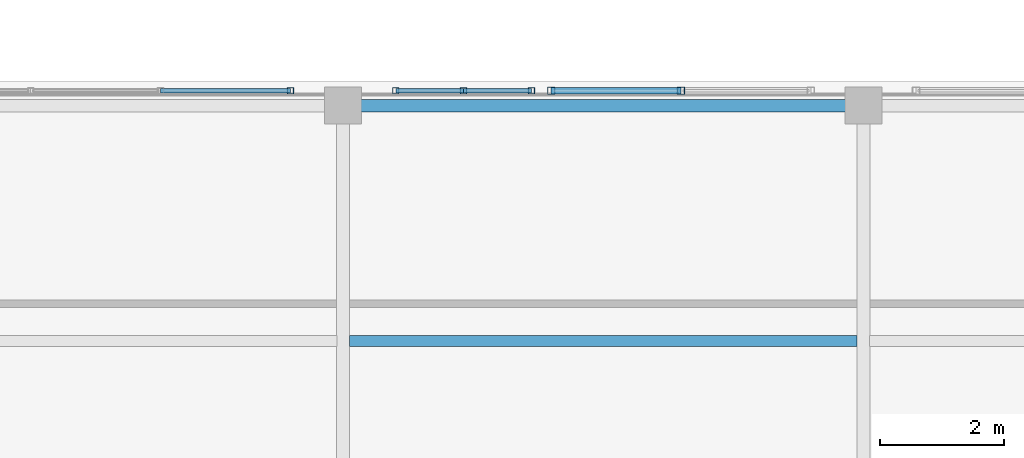
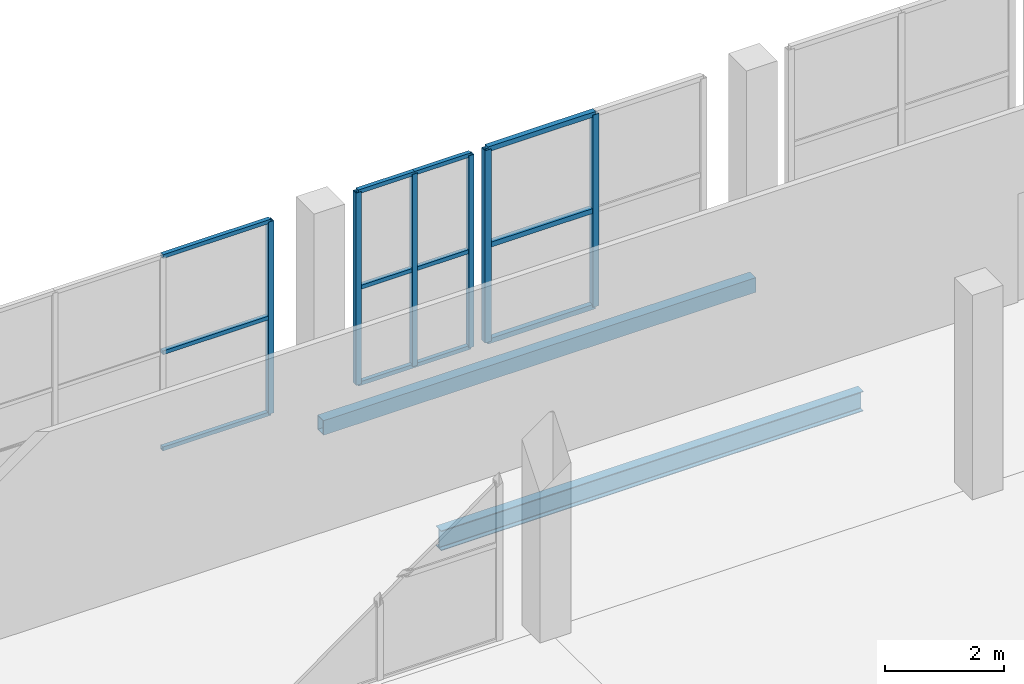
# One storey, part 35 of 217: 18 members, 2 beams, 3 elements without a shape of their own.
"""IFC4 building model written with IfcOpenShell, lengths in metres."""

from ifc_helpers import new_model, si_unit, direction, frame, origin, origin_2d, place, context, subcontext, project, spatial, hollow_rectangle, i_section, extrude, material, material_profile, profile_set, type_object, element, aggregate, save


model = new_model("IFC4")

# Units and contexts
model_context = context("Model", 3, precision=1e-05, world=origin(), true_north=direction((0.0, 1.0)))
body_context = subcontext(model_context, "Body", "Model", "MODEL_VIEW")
ifc_project = project(units=[si_unit("LENGTHUNIT", "METRE"), si_unit("AREAUNIT", "SQUARE_METRE"), si_unit("VOLUMEUNIT", "CUBIC_METRE"), si_unit("PLANEANGLEUNIT", "RADIAN"), si_unit("MASSUNIT", "GRAM", prefix="KILO")], contexts=[model_context])

# Site, building, storey
site_placement = place(None, origin())
site = spatial("IfcSite", under=ifc_project, at=site_placement, CompositionType="ELEMENT")
building_placement = place(site_placement, origin())
building = spatial("IfcBuilding", under=site, at=building_placement, Name="Zuvorla Pavilion Media Centre", CompositionType="ELEMENT")
storey_placement = place(building_placement, frame((0.0, 0.0, 9.60009765625)))
storey = spatial("IfcBuildingStorey", under=building, at=storey_placement, Name="L02", CompositionType="ELEMENT", Elevation=9.60009765625)

# Beams
ifc_material_1 = material(Name="Steel S355", Category="steel")
ifc_material_profile_1 = material_profile(ifc_material_1, hollow_rectangle(XDim=0.199951171875, YDim=0.300048828125, WallThickness=0.012451171875, at=origin_2d()), Name="RHS 300x200x12.5")
ifc_profile_set_1 = profile_set([ifc_material_profile_1], Name="Steel S355")
beam_type_1 = type_object("IfcBeamType", Name="BM-SP-RHS300", PredefinedType="SPANDREL", material=ifc_profile_set_1)
beam_1_placement = place(storey_placement, frame((66.800048828125, 51.60009765625, -0.418212890625), z_axis=(1.0, 0.0, 0.0), x_axis=(0.0, 1.0, 0.0)))
element("IfcBeam", 1, at=beam_1_placement, inside=storey, type_object=beam_type_1, Name="L02 spandrel SP01 841", PredefinedType="SPANDREL", context=body_context, shape_type="SweptSolid", body=[
    extrude(hollow_rectangle(XDim=0.199951171875, YDim=0.300048828125, WallThickness=0.012451171875, at=origin_2d()), origin(), (0.0, 0.0, 1.0), 8.39990234375),
])
ifc_material_profile_2 = material_profile(ifc_material_1, i_section(OverallWidth=0.1787109375, OverallDepth=0.409423828125, WebThickness=0.0087890625, FlangeThickness=0.014404296875, FilletRadius=0.01025390625, at=origin_2d()), Name="UB 406x178x67")
ifc_profile_set_2 = profile_set([ifc_material_profile_2], Name="Steel S355")
beam_type_2 = type_object("IfcBeamType", Name="BM-UB406", PredefinedType="JOIST", material=ifc_profile_set_2)
beam_2_placement = place(storey_placement, frame((66.89990234375, 47.800048828125, -0.472900390625), z_axis=(1.0, 0.0, 0.0), x_axis=(0.0, 1.0, 0.0)))
element("IfcBeam", 2, at=beam_2_placement, inside=storey, type_object=beam_type_2, Name="L02 joist J02 1009", PredefinedType="JOIST", context=body_context, shape_type="SweptSolid", body=[
    extrude(i_section(OverallWidth=0.1787109375, OverallDepth=0.409423828125, WebThickness=0.0087890625, FlangeThickness=0.014404296875, FilletRadius=0.01025390625, at=origin_2d()), origin(), (0.0, 0.0, 1.0), 8.2001953125),
])

# Curtain wall, member
ifc_material_2 = material(Name="Unitised anodised aluminium and solar glass curtain wall", Category="aluminium")
curtain_wall_type_1 = type_object("IfcCurtainWallType", Name="CW-SYS-36", PredefinedType="USERDEFINED", material=ifc_material_2)
curtain_wall_1_placement = place(storey_placement, origin())
curtain_wall_1 = element("IfcCurtainWall", 3, at=curtain_wall_1_placement, inside=storey, type_object=curtain_wall_type_1, Name="L02 curtain wall CW36 57", ObjectType="CURTAIN WALL", PredefinedType="USERDEFINED")
ifc_material_3 = material(Name="Anodised aluminium 6063-T6", Category="aluminium")
ifc_material_profile_3 = material_profile(ifc_material_3, hollow_rectangle(XDim=0.10009765625, YDim=0.10009765625, WallThickness=0.00439453125, at=origin_2d()), Name="ALU MULL 100x100")
ifc_profile_set_3 = profile_set([ifc_material_profile_3], Name="Anodised aluminium 6063-T6")
member_type_1 = type_object("IfcMemberType", Name="CW-MULL-100", PredefinedType="MULLION", material=ifc_profile_set_3)
member_1_placement = place(storey_placement, frame((65.94970703125, 51.840087890625, 0.0), z_axis=(0.0, 0.0, 1.0), x_axis=(1.0, 0.0, 0.0)))
member_1 = element("IfcMember", 4, at=member_1_placement, type_object=member_type_1, Name="CW36 mullion 4", PredefinedType="MULLION", context=body_context, shape_type="SweptSolid", body=[
    extrude(hollow_rectangle(XDim=0.10009765625, YDim=0.10009765625, WallThickness=0.00439453125, at=origin_2d()), origin(), (0.0, 0.0, 1.0), 3.949951171875),
])

# Curtain wall, members
curtain_wall_type_2 = type_object("IfcCurtainWallType", Name="CW-SYS-37", PredefinedType="USERDEFINED", material=ifc_material_2)
curtain_wall_2_placement = place(storey_placement, origin())
curtain_wall_2 = element("IfcCurtainWall", 5, at=curtain_wall_2_placement, inside=storey, type_object=curtain_wall_type_2, Name="L02 curtain wall CW37 58", ObjectType="CURTAIN WALL", PredefinedType="USERDEFINED")
member_2_placement = place(storey_placement, frame((67.650390625, 51.840087890625, 0.0), z_axis=(0.0, 0.0, 1.0), x_axis=(1.0, 0.0, 0.0)))
member_2 = element("IfcMember", 6, at=member_2_placement, type_object=member_type_1, Name="CW37 mullion 1", PredefinedType="MULLION", context=body_context, shape_type="SweptSolid", body=[
    extrude(hollow_rectangle(XDim=0.10009765625, YDim=0.10009765625, WallThickness=0.00439453125, at=origin_2d()), origin(), (0.0, 0.0, 1.0), 3.949951171875),
])
member_3_placement = place(storey_placement, frame((68.7451171875, 51.840087890625, 0.0), z_axis=(0.0, 0.0, 1.0), x_axis=(1.0, 0.0, 0.0)))
member_3 = element("IfcMember", 7, at=member_3_placement, type_object=member_type_1, Name="CW37 mullion 2", PredefinedType="MULLION", context=body_context, shape_type="SweptSolid", body=[
    extrude(hollow_rectangle(XDim=0.10009765625, YDim=0.10009765625, WallThickness=0.00439453125, at=origin_2d()), origin(), (0.0, 0.0, 1.0), 3.949951171875),
])
member_4_placement = place(storey_placement, frame((69.840087890625, 51.840087890625, 0.0), z_axis=(0.0, 0.0, 1.0), x_axis=(1.0, 0.0, 0.0)))
member_4 = element("IfcMember", 8, at=member_4_placement, type_object=member_type_1, Name="CW37 mullion 3", PredefinedType="MULLION", context=body_context, shape_type="SweptSolid", body=[
    extrude(hollow_rectangle(XDim=0.10009765625, YDim=0.10009765625, WallThickness=0.00439453125, at=origin_2d()), origin(), (0.0, 0.0, 1.0), 3.949951171875),
])

curtain_wall_type_3 = type_object("IfcCurtainWallType", Name="CW-SYS-40", PredefinedType="USERDEFINED", material=ifc_material_2)
curtain_wall_3_placement = place(storey_placement, origin())
curtain_wall_3 = element("IfcCurtainWall", 9, at=curtain_wall_3_placement, inside=storey, type_object=curtain_wall_type_3, Name="L02 curtain wall CW40 61", ObjectType="CURTAIN WALL", PredefinedType="USERDEFINED")
ifc_material_profile_4 = material_profile(ifc_material_3, hollow_rectangle(XDim=0.1201171875, YDim=0.1201171875, WallThickness=0.0048828125, at=origin_2d()), Name="ALU MULL 120x120")
ifc_profile_set_4 = profile_set([ifc_material_profile_4], Name="Anodised aluminium 6063-T6")
member_type_2 = type_object("IfcMemberType", Name="CW-MULL-120", PredefinedType="MULLION", material=ifc_profile_set_4)
member_5_placement = place(storey_placement, frame((70.159912109375, 51.840087890625, 0.0), z_axis=(0.0, 0.0, 1.0), x_axis=(1.0, 0.0, 0.0)))
member_5 = element("IfcMember", 10, at=member_5_placement, type_object=member_type_2, Name="CW40 mullion 1", PredefinedType="MULLION", context=body_context, shape_type="SweptSolid", body=[
    extrude(hollow_rectangle(XDim=0.1201171875, YDim=0.1201171875, WallThickness=0.0048828125, at=origin_2d()), origin(), (0.0, 0.0, 1.0), 3.949951171875),
])
member_6_placement = place(storey_placement, frame((72.2548828125, 51.840087890625, 0.0), z_axis=(0.0, 0.0, 1.0), x_axis=(1.0, 0.0, 0.0)))
member_6 = element("IfcMember", 11, at=member_6_placement, type_object=member_type_2, Name="CW40 mullion 2", PredefinedType="MULLION", context=body_context, shape_type="SweptSolid", body=[
    extrude(hollow_rectangle(XDim=0.1201171875, YDim=0.1201171875, WallThickness=0.0048828125, at=origin_2d()), origin(), (0.0, 0.0, 1.0), 3.949951171875),
])
ifc_material_profile_5 = material_profile(ifc_material_3, hollow_rectangle(XDim=0.10009765625, YDim=0.10009765625, WallThickness=0.00439453125, at=origin_2d()), Name="ALU TRAN 100x100")
ifc_profile_set_5 = profile_set([ifc_material_profile_5], Name="Anodised aluminium 6063-T6")
member_type_3 = type_object("IfcMemberType", Name="CW-TRAN-100", PredefinedType="USERDEFINED", material=ifc_profile_set_5)
member_7_placement = place(storey_placement, frame((70.159912109375, 51.840087890625, 0.0), z_axis=(1.0, 0.0, 0.0), x_axis=(0.0, 1.0, 0.0)))
member_7 = element("IfcMember", 12, at=member_7_placement, type_object=member_type_3, Name="CW40 transom 1.1", ObjectType="TRANSOM", PredefinedType="USERDEFINED", context=body_context, shape_type="SweptSolid", body=[
    extrude(hollow_rectangle(XDim=0.10009765625, YDim=0.10009765625, WallThickness=0.00439453125, at=origin_2d()), origin(), (0.0, 0.0, 1.0), 2.094970703125),
])
member_8_placement = place(storey_placement, frame((70.159912109375, 51.840087890625, 1.974853515625), z_axis=(1.0, 0.0, 0.0), x_axis=(0.0, 1.0, 0.0)))
member_8 = element("IfcMember", 13, at=member_8_placement, type_object=member_type_3, Name="CW40 transom 1.2", ObjectType="TRANSOM", PredefinedType="USERDEFINED", context=body_context, shape_type="SweptSolid", body=[
    extrude(hollow_rectangle(XDim=0.10009765625, YDim=0.10009765625, WallThickness=0.00439453125, at=origin_2d()), origin(), (0.0, 0.0, 1.0), 2.094970703125),
])
member_9_placement = place(storey_placement, frame((70.159912109375, 51.840087890625, 3.949951171875), z_axis=(1.0, 0.0, 0.0), x_axis=(0.0, 1.0, 0.0)))
member_9 = element("IfcMember", 14, at=member_9_placement, type_object=member_type_3, Name="CW40 transom 1.3", ObjectType="TRANSOM", PredefinedType="USERDEFINED", context=body_context, shape_type="SweptSolid", body=[
    extrude(hollow_rectangle(XDim=0.10009765625, YDim=0.10009765625, WallThickness=0.00439453125, at=origin_2d()), origin(), (0.0, 0.0, 1.0), 2.094970703125),
])
aggregate(curtain_wall_3, [member_5, member_6, member_7, member_8, member_9])

# Member
ifc_material_profile_6 = material_profile(ifc_material_3, hollow_rectangle(XDim=0.080078125, YDim=0.080078125, WallThickness=0.00390625, at=origin_2d()), Name="ALU TRAN 80x80")
ifc_profile_set_6 = profile_set([ifc_material_profile_6], Name="Anodised aluminium 6063-T6")
member_type_4 = type_object("IfcMemberType", Name="CW-TRAN-80", PredefinedType="USERDEFINED", material=ifc_profile_set_6)
member_10_placement = place(storey_placement, frame((63.85302734375, 51.840087890625, 0.0), z_axis=(1.0, 0.0, 0.0), x_axis=(0.0, 1.0, 0.0)))
member_10 = element("IfcMember", 15, at=member_10_placement, type_object=member_type_4, Name="CW36 transom 3.1", ObjectType="TRANSOM", PredefinedType="USERDEFINED", context=body_context, shape_type="SweptSolid", body=[
    extrude(hollow_rectangle(XDim=0.080078125, YDim=0.080078125, WallThickness=0.00390625, at=origin_2d()), origin(), (0.0, 0.0, 1.0), 2.0966796875),
])

member_11_placement = place(storey_placement, frame((63.85302734375, 51.840087890625, 1.974853515625), z_axis=(1.0, 0.0, 0.0), x_axis=(0.0, 1.0, 0.0)))
member_11 = element("IfcMember", 16, at=member_11_placement, type_object=member_type_4, Name="CW36 transom 3.2", ObjectType="TRANSOM", PredefinedType="USERDEFINED", context=body_context, shape_type="SweptSolid", body=[
    extrude(hollow_rectangle(XDim=0.080078125, YDim=0.080078125, WallThickness=0.00390625, at=origin_2d()), origin(), (0.0, 0.0, 1.0), 2.0966796875),
])

member_12_placement = place(storey_placement, frame((63.85302734375, 51.840087890625, 3.949951171875), z_axis=(1.0, 0.0, 0.0), x_axis=(0.0, 1.0, 0.0)))
member_12 = element("IfcMember", 17, at=member_12_placement, type_object=member_type_4, Name="CW36 transom 3.3", ObjectType="TRANSOM", PredefinedType="USERDEFINED", context=body_context, shape_type="SweptSolid", body=[
    extrude(hollow_rectangle(XDim=0.080078125, YDim=0.080078125, WallThickness=0.00390625, at=origin_2d()), origin(), (0.0, 0.0, 1.0), 2.0966796875),
])

aggregate(curtain_wall_1, [member_1, member_10, member_11, member_12])

member_13_placement = place(storey_placement, frame((67.650390625, 51.840087890625, 0.0), z_axis=(1.0, 0.0, 0.0), x_axis=(0.0, 1.0, 0.0)))
member_13 = element("IfcMember", 18, at=member_13_placement, type_object=member_type_4, Name="CW37 transom 1.1", ObjectType="TRANSOM", PredefinedType="USERDEFINED", context=body_context, shape_type="SweptSolid", body=[
    extrude(hollow_rectangle(XDim=0.080078125, YDim=0.080078125, WallThickness=0.00390625, at=origin_2d()), origin(), (0.0, 0.0, 1.0), 1.0947265625),
])

member_14_placement = place(storey_placement, frame((67.650390625, 51.840087890625, 1.974853515625), z_axis=(1.0, 0.0, 0.0), x_axis=(0.0, 1.0, 0.0)))
member_14 = element("IfcMember", 19, at=member_14_placement, type_object=member_type_4, Name="CW37 transom 1.2", ObjectType="TRANSOM", PredefinedType="USERDEFINED", context=body_context, shape_type="SweptSolid", body=[
    extrude(hollow_rectangle(XDim=0.080078125, YDim=0.080078125, WallThickness=0.00390625, at=origin_2d()), origin(), (0.0, 0.0, 1.0), 1.0947265625),
])

member_15_placement = place(storey_placement, frame((67.650390625, 51.840087890625, 3.949951171875), z_axis=(1.0, 0.0, 0.0), x_axis=(0.0, 1.0, 0.0)))
member_15 = element("IfcMember", 20, at=member_15_placement, type_object=member_type_4, Name="CW37 transom 1.3", ObjectType="TRANSOM", PredefinedType="USERDEFINED", context=body_context, shape_type="SweptSolid", body=[
    extrude(hollow_rectangle(XDim=0.080078125, YDim=0.080078125, WallThickness=0.00390625, at=origin_2d()), origin(), (0.0, 0.0, 1.0), 1.0947265625),
])

member_16_placement = place(storey_placement, frame((68.7451171875, 51.840087890625, 0.0), z_axis=(1.0, 0.0, 0.0), x_axis=(0.0, 1.0, 0.0)))
member_16 = element("IfcMember", 21, at=member_16_placement, type_object=member_type_4, Name="CW37 transom 2.1", ObjectType="TRANSOM", PredefinedType="USERDEFINED", context=body_context, shape_type="SweptSolid", body=[
    extrude(hollow_rectangle(XDim=0.080078125, YDim=0.080078125, WallThickness=0.00390625, at=origin_2d()), origin(), (0.0, 0.0, 1.0), 1.094970703125),
])

member_17_placement = place(storey_placement, frame((68.7451171875, 51.840087890625, 1.974853515625), z_axis=(1.0, 0.0, 0.0), x_axis=(0.0, 1.0, 0.0)))
member_17 = element("IfcMember", 22, at=member_17_placement, type_object=member_type_4, Name="CW37 transom 2.2", ObjectType="TRANSOM", PredefinedType="USERDEFINED", context=body_context, shape_type="SweptSolid", body=[
    extrude(hollow_rectangle(XDim=0.080078125, YDim=0.080078125, WallThickness=0.00390625, at=origin_2d()), origin(), (0.0, 0.0, 1.0), 1.094970703125),
])

member_18_placement = place(storey_placement, frame((68.7451171875, 51.840087890625, 3.949951171875), z_axis=(1.0, 0.0, 0.0), x_axis=(0.0, 1.0, 0.0)))
member_18 = element("IfcMember", 23, at=member_18_placement, type_object=member_type_4, Name="CW37 transom 2.3", ObjectType="TRANSOM", PredefinedType="USERDEFINED", context=body_context, shape_type="SweptSolid", body=[
    extrude(hollow_rectangle(XDim=0.080078125, YDim=0.080078125, WallThickness=0.00390625, at=origin_2d()), origin(), (0.0, 0.0, 1.0), 1.094970703125),
])

aggregate(curtain_wall_2, [member_2, member_3, member_4, member_13, member_14, member_15, member_16, member_17, member_18])

save(model, "model.ifc")
